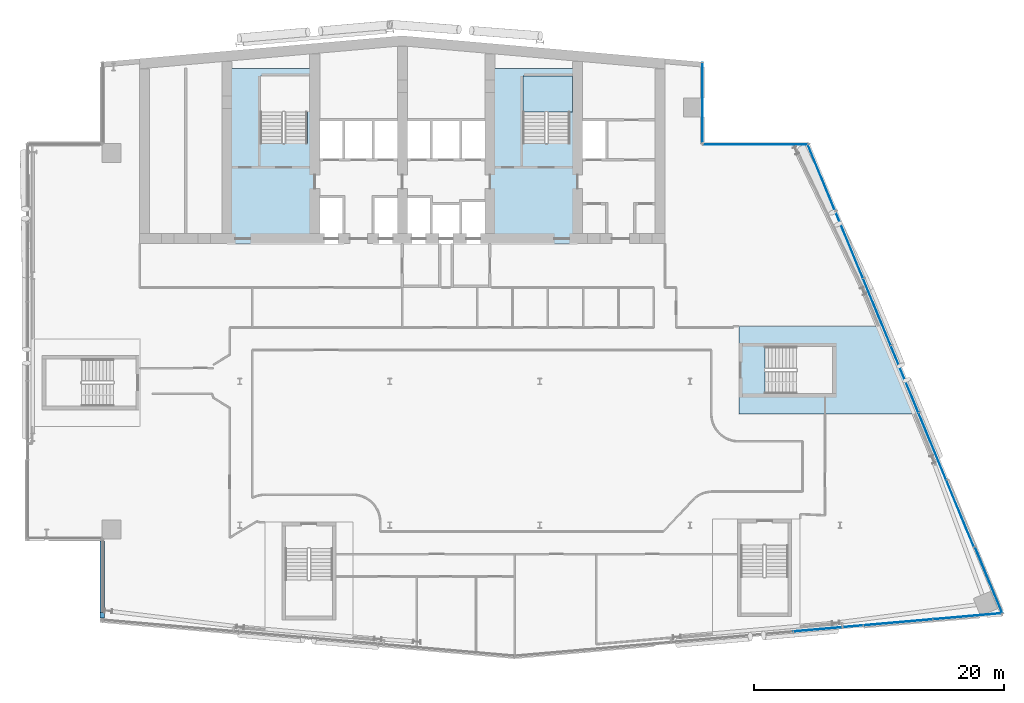
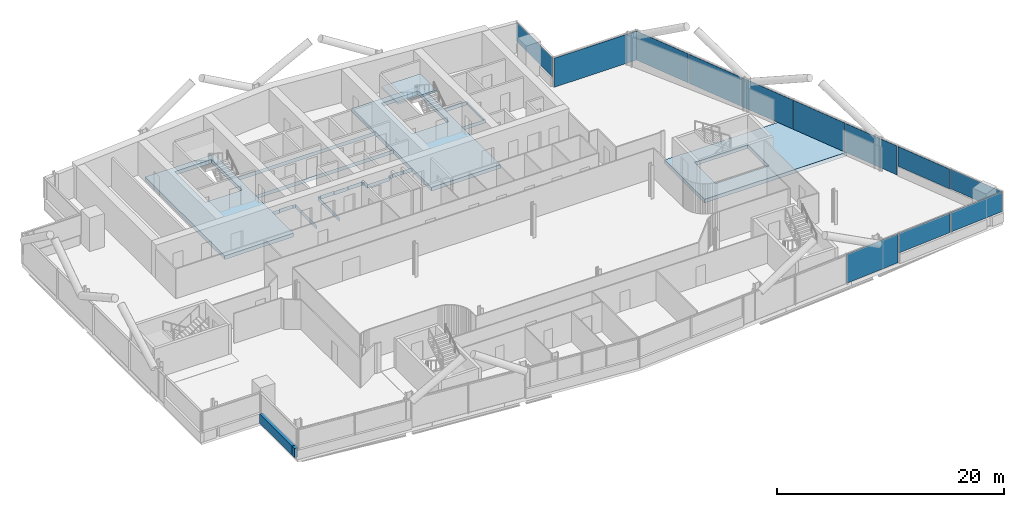
# One storey, part 14 of 29: 12 plates, 3 slabs, 2 walls, 5 elements without a shape of their own.
"""IFC4 building model written with IfcOpenShell, lengths in metres."""

from ifc_helpers import new_model, si_unit, direction, frame, frame_2d, origin, origin_2d, place, context, subcontext, project, spatial, polyline, rectangle, outline, extrude, material, layer, layer_set, type_object, element, aggregate, save


model = new_model("IFC4")

# Units and contexts
model_context = context("Model", 3, precision=1e-05, world=origin(), true_north=direction((0.0, 1.0)))
body_context = subcontext(model_context, "Body", "Model", "MODEL_VIEW")
ifc_project = project(units=[si_unit("LENGTHUNIT", "METRE"), si_unit("AREAUNIT", "SQUARE_METRE"), si_unit("VOLUMEUNIT", "CUBIC_METRE"), si_unit("PLANEANGLEUNIT", "RADIAN"), si_unit("MASSUNIT", "GRAM", prefix="KILO")], contexts=[model_context])

# Site, building, storey
site_placement = place(None, origin())
site = spatial("IfcSite", under=ifc_project, at=site_placement, CompositionType="ELEMENT")
building_placement = place(site_placement, origin())
building = spatial("IfcBuilding", under=site, at=building_placement, Name="Wharfspan Tower", CompositionType="ELEMENT")
storey_placement = place(building_placement, frame((0.0, 0.0, 155.5)))
storey = spatial("IfcBuildingStorey", under=building, at=storey_placement, Name="L37", CompositionType="ELEMENT", Elevation=155.5)

# Curtain wall, plates
ifc_material_1 = material(Name="Aluminium 6063-T6", Category="aluminium")
curtain_wall_type_1 = type_object("IfcCurtainWallType", Name="CURTAIN WALL FACETED FRONT", PredefinedType="NOTDEFINED", material=ifc_material_1)
curtain_wall_1_placement = place(storey_placement, origin())
curtain_wall_1 = element("IfcCurtainWall", 1, at=curtain_wall_1_placement, inside=storey, type_object=curtain_wall_type_1, Name="Curtain wall S2", PredefinedType="NOTDEFINED")
ifc_material_2 = material(Name="Glass clear low-iron double glazing", Category="glass")
ifc_layer_1 = layer(ifc_material_2, 0.040039)
ifc_layer_set_1 = layer_set([ifc_layer_1], Name="Glass clear low-iron double glazing")
plate_type_1 = type_object("IfcPlateType", Name="GLASS PANEL FACETED FRONT 40", PredefinedType="CURTAIN_PANEL", material=ifc_layer_set_1)
plate_1_placement = place(storey_placement, frame((76.637695, 3.728516, 1.0), z_axis=(0.0, 0.0, 1.0), x_axis=(0.996198, 0.087156, 0.0)))
plate_1 = element("IfcPlate", 2, at=plate_1_placement, type_object=plate_type_1, Name="Curtain wall S2 panel 6", PredefinedType="CURTAIN_PANEL", context=body_context, shape_type="SweptSolid", body=[
    extrude(rectangle(XDim=5.532715, YDim=0.040039, at=origin_2d()), origin(), (0.0, 0.0, 1.0), 2.120117),
])
plate_2_placement = place(storey_placement, frame((82.194092, 4.214844, 1.0), z_axis=(0.0, 0.0, 1.0), x_axis=(0.996198, 0.087156, 0.0)))
plate_2 = element("IfcPlate", 3, at=plate_2_placement, type_object=plate_type_1, Name="Curtain wall S2 panel 7", PredefinedType="CURTAIN_PANEL", context=body_context, shape_type="SweptSolid", body=[
    extrude(rectangle(XDim=5.502686, YDim=0.040039, at=origin_2d()), origin(), (0.0, 0.0, 1.0), 2.120117),
])

curtain_wall_type_2 = type_object("IfcCurtainWallType", Name="CURTAIN WALL PROW AND END", PredefinedType="NOTDEFINED", material=ifc_material_1)
curtain_wall_2_placement = place(storey_placement, origin())
curtain_wall_2 = element("IfcCurtainWall", 4, at=curtain_wall_2_placement, inside=storey, type_object=curtain_wall_type_2, Name="Curtain wall E", PredefinedType="NOTDEFINED")
ifc_layer_2 = layer(ifc_material_2, 0.040039)
ifc_layer_set_2 = layer_set([ifc_layer_2], Name="Glass clear low-iron double glazing")
plate_type_2 = type_object("IfcPlateType", Name="GLASS PANEL PROW AND END 40", PredefinedType="CURTAIN_PANEL", material=ifc_layer_set_2)
plate_3_placement = place(storey_placement, frame((83.885498, 7.099609, 1.0), z_axis=(0.0, 0.0, 1.0), x_axis=(-0.381602, 0.924325, 0.0)))
plate_3 = element("IfcPlate", 5, at=plate_3_placement, type_object=plate_type_2, Name="Curtain wall E panel 1", PredefinedType="CURTAIN_PANEL", context=body_context, shape_type="SweptSolid", body=[
    extrude(rectangle(XDim=5.721191, YDim=0.040039, at=origin_2d()), origin(), (0.0, 0.0, 1.0), 2.120117),
])
plate_4_placement = place(storey_placement, frame((81.599609, 12.426514, 1.0), z_axis=(0.0, 0.0, 1.0), x_axis=(-0.381602, 0.924325, 0.0)))
plate_4 = element("IfcPlate", 6, at=plate_4_placement, type_object=plate_type_2, Name="Curtain wall E panel 2", PredefinedType="CURTAIN_PANEL", context=body_context, shape_type="SweptSolid", body=[
    extrude(rectangle(XDim=5.751221, YDim=0.040039, at=origin_2d()), origin(), (0.0, 0.0, 1.0), 2.120117),
])

# Curtain wall, plate
curtain_wall_3_placement = place(storey_placement, origin())
curtain_wall_3 = element("IfcCurtainWall", 7, at=curtain_wall_3_placement, inside=storey, type_object=curtain_wall_type_2, Name="Curtain wall NRE-V", PredefinedType="NOTDEFINED")
plate_5_placement = place(storey_placement, frame((61.0, 45.262451, 1.0), z_axis=(0.0, 0.0, 1.0), x_axis=(0.0, 1.0, 0.0)))
plate_5 = element("IfcPlate", 8, at=plate_5_placement, type_object=plate_type_2, Name="Curtain wall NRE-V panel 1", PredefinedType="CURTAIN_PANEL", context=body_context, shape_type="SweptSolid", body=[
    extrude(rectangle(XDim=6.405029, YDim=0.040039, at=origin_2d()), origin(), (0.0, 0.0, 1.0), 2.120117),
])
aggregate(curtain_wall_3, [plate_5])

# Plate
ifc_material_3 = material(Name="Aluminium composite opaque insulated panel", Category="aluminium")
ifc_layer_3 = layer(ifc_material_3, 0.040039)
ifc_layer_set_3 = layer_set([ifc_layer_3], Name="Aluminium composite opaque insulated panel")
plate_type_3 = type_object("IfcPlateType", Name="INFILL PANEL FACETED FRONT OPAQUE 40", PredefinedType="SHEET", material=ifc_layer_set_3)
plate_6_placement = place(storey_placement, frame((71.066162, 3.241211, 0.0), z_axis=(0.0, 0.0, 1.0), x_axis=(0.996198, 0.087156, 0.0)))
plate_6 = element("IfcPlate", 9, at=plate_6_placement, type_object=plate_type_3, Name="Curtain wall S2 panel 5", PredefinedType="SHEET", context=body_context, shape_type="SweptSolid", body=[
    extrude(rectangle(XDim=5.532715, YDim=0.040039, at=origin_2d()), origin(), (0.0, 0.0, 1.0), 3.120117),
])

aggregate(curtain_wall_1, [plate_6, plate_1, plate_2])

ifc_layer_4 = layer(ifc_material_3, 0.040039)
ifc_layer_set_4 = layer_set([ifc_layer_4], Name="Aluminium composite opaque insulated panel")
plate_type_4 = type_object("IfcPlateType", Name="INFILL PANEL PROW AND END OPAQUE 40", PredefinedType="SHEET", material=ifc_layer_set_4)
plate_7_placement = place(storey_placement, frame((79.38208, 17.798096, 0.0), z_axis=(0.0, 0.0, 1.0), x_axis=(-0.381602, 0.924325, 0.0)))
plate_7 = element("IfcPlate", 10, at=plate_7_placement, type_object=plate_type_4, Name="Curtain wall E panel 3", PredefinedType="SHEET", context=body_context, shape_type="SweptSolid", body=[
    extrude(rectangle(XDim=5.751221, YDim=0.040039, at=origin_2d()), origin(), (0.0, 0.0, 1.0), 3.120117),
])

plate_8_placement = place(storey_placement, frame((77.164551, 23.169434, 0.0), z_axis=(0.0, 0.0, 1.0), x_axis=(-0.381602, 0.924325, 0.0)))
plate_8 = element("IfcPlate", 11, at=plate_8_placement, type_object=plate_type_4, Name="Curtain wall E panel 4", PredefinedType="SHEET", context=body_context, shape_type="SweptSolid", body=[
    extrude(rectangle(XDim=5.751221, YDim=0.040039, at=origin_2d()), origin(), (0.0, 0.0, 1.0), 3.120117),
])

plate_9_placement = place(storey_placement, frame((74.947021, 28.541016, 0.0), z_axis=(0.0, 0.0, 1.0), x_axis=(-0.381602, 0.924325, 0.0)))
plate_9 = element("IfcPlate", 12, at=plate_9_placement, type_object=plate_type_4, Name="Curtain wall E panel 5", PredefinedType="SHEET", context=body_context, shape_type="SweptSolid", body=[
    extrude(rectangle(XDim=5.751221, YDim=0.040039, at=origin_2d()), origin(), (0.0, 0.0, 1.0), 3.120117),
])

plate_10_placement = place(storey_placement, frame((72.729492, 33.912354, 0.0), z_axis=(0.0, 0.0, 1.0), x_axis=(-0.381602, 0.924325, 0.0)))
plate_10 = element("IfcPlate", 13, at=plate_10_placement, type_object=plate_type_4, Name="Curtain wall E panel 6", PredefinedType="SHEET", context=body_context, shape_type="SweptSolid", body=[
    extrude(rectangle(XDim=5.751221, YDim=0.040039, at=origin_2d()), origin(), (0.0, 0.0, 1.0), 3.120117),
])

plate_11_placement = place(storey_placement, frame((70.517578, 39.269775, 0.0), z_axis=(0.0, 0.0, 1.0), x_axis=(-0.381602, 0.924325, 0.0)))
plate_11 = element("IfcPlate", 14, at=plate_11_placement, type_object=plate_type_4, Name="Curtain wall E panel 7", PredefinedType="SHEET", context=body_context, shape_type="SweptSolid", body=[
    extrude(rectangle(XDim=5.721191, YDim=0.040039, at=origin_2d()), origin(), (0.0, 0.0, 1.0), 3.120117),
])

aggregate(curtain_wall_2, [plate_3, plate_4, plate_7, plate_8, plate_9, plate_10, plate_11])

# Curtain wall, plate
curtain_wall_4_placement = place(storey_placement, origin())
curtain_wall_4 = element("IfcCurtainWall", 15, at=curtain_wall_4_placement, inside=storey, type_object=curtain_wall_type_2, Name="Curtain wall NRE-H", PredefinedType="NOTDEFINED")
plate_12_placement = place(storey_placement, frame((65.238525, 41.919922, 0.0), z_axis=(0.0, 0.0, 1.0), x_axis=(-1.0, 0.0, 0.0)))
plate_12 = element("IfcPlate", 16, at=plate_12_placement, type_object=plate_type_4, Name="Curtain wall NRE-H panel 1", PredefinedType="SHEET", context=body_context, shape_type="SweptSolid", body=[
    extrude(rectangle(XDim=8.357178, YDim=0.040039, at=origin_2d()), origin(), (0.0, 0.0, 1.0), 3.120117),
])
aggregate(curtain_wall_4, [plate_12])

# Slabs
ifc_material_4 = material(Name="Concrete C40/50", Category="concrete")
ifc_layer_5 = layer(ifc_material_4, 0.399902)
ifc_layer_set_5 = layer_set([ifc_layer_5], Name="Concrete C40/50")
slab_type_1 = type_object("IfcSlabType", Name="Post-tensioned flat slab 400", PredefinedType="FLOOR", material=ifc_layer_set_5)
slab_1_placement = place(storey_placement, frame((0.0, 0.0, -0.400146)))
element("IfcSlab", 17, at=slab_1_placement, inside=storey, type_object=slab_type_1, Name="Core floor slab L37 part 3", PredefinedType="FLOOR", context=body_context, shape_type="SweptSolid", body=[
    extrude(outline(polyline([(23.0, 34.0), (29.998047, 34.0), (29.998047, 37.75), (29.998047, 37.750244), (29.998047, 37.750488), (29.998047, 37.750488), (29.998291, 37.750732), (29.998291, 37.750977), (29.998291, 37.751221), (29.998535, 37.751221), (29.998535, 37.751465), (29.998779, 37.751465), (29.998779, 37.751709), (29.999023, 37.751709), (29.999268, 37.751709), (29.999512, 37.751953), (29.999512, 37.751953), (29.999756, 37.751953), (30.0, 37.751953), (30.7146, 37.751953), (30.7146, 37.800049), (30.7146, 37.800293), (30.7146, 37.800293), (30.714844, 37.800537), (30.714844, 37.800781), (30.714844, 37.800781), (30.715088, 37.801025), (30.715088, 37.80127), (30.715332, 37.801514), (30.715332, 37.801514), (30.715576, 37.801758), (30.71582, 37.801758), (30.71582, 37.801758), (30.716064, 37.802002), (30.716309, 37.802002), (30.716553, 37.802002), (30.716797, 37.802002), (32.116699, 37.802002), (32.116943, 37.802002), (32.117188, 37.802002), (32.117188, 37.802002), (32.117432, 37.801758), (32.117676, 37.801758), (32.11792, 37.801758), (32.11792, 37.801514), (32.118164, 37.801514), (32.118164, 37.80127), (32.118408, 37.801025), (32.118408, 37.800781), (32.118408, 37.800781), (32.118652, 37.800537), (32.118652, 37.800293), (32.118652, 37.800293), (32.118652, 37.800049), (32.118652, 37.751953), (32.333252, 37.751953), (32.333496, 37.751953), (32.33374, 37.751953), (32.333984, 37.751953), (32.333984, 37.751709), (32.334229, 37.751709), (32.334473, 37.751709), (32.334717, 37.751465), (32.334717, 37.751465), (32.334961, 37.751221), (32.334961, 37.751221), (32.335205, 37.750977), (32.335205, 37.750732), (32.335205, 37.750488), (32.335205, 37.750488), (32.335205, 37.750244), (32.335205, 37.75), (32.335205, 34.0), (32.341309, 34.0), (32.341309, 37.758057), (32.126709, 37.758057), (32.126465, 37.758057), (32.126221, 37.758057), (32.126221, 37.758057), (32.125977, 37.758301), (32.125732, 37.758301), (32.125488, 37.758301), (32.125488, 37.758545), (32.125244, 37.758545), (32.125244, 37.758789), (32.125, 37.758789), (32.125, 37.759033), (32.125, 37.759277), (32.124756, 37.759521), (32.124756, 37.759521), (32.124756, 37.759766), (32.124756, 37.76001), (32.124756, 37.808105), (30.70874, 37.808105), (30.70874, 37.76001), (30.70874, 37.759766), (30.70874, 37.759521), (30.708496, 37.759521), (30.708496, 37.759277), (30.708496, 37.759033), (30.708496, 37.758789), (30.708252, 37.758789), (30.708008, 37.758545), (30.708008, 37.758545), (30.707764, 37.758301), (30.70752, 37.758301), (30.70752, 37.758301), (30.707275, 37.758057), (30.707031, 37.758057), (30.706787, 37.758057), (30.706787, 37.758057), (30.01001, 37.758057), (30.009766, 37.758057), (30.009521, 37.758057), (30.009521, 37.758057), (30.009277, 37.758301), (30.009033, 37.758301), (30.008789, 37.758301), (30.008789, 37.758545), (30.008545, 37.758545), (30.008545, 37.758789), (30.008301, 37.758789), (30.008301, 37.759033), (30.008301, 37.759277), (30.008057, 37.759521), (30.008057, 37.759521), (30.008057, 37.759766), (30.008057, 37.76001), (30.008057, 40.689941), (30.008057, 40.690186), (30.008057, 40.69043), (30.008057, 40.690674), (30.008301, 40.690918), (30.008301, 40.690918), (30.008301, 40.691162), (30.008545, 40.691406), (30.008545, 40.691406), (30.008789, 40.691406), (30.008789, 40.69165), (30.009033, 40.691895), (30.009277, 40.691895), (30.009521, 40.691895), (30.009521, 40.691895), (30.009766, 40.691895), (30.01001, 40.691895), (43.98999, 40.691895), (43.990234, 40.691895), (43.990479, 40.691895), (43.990479, 40.691895), (43.990723, 40.691895), (43.990967, 40.691895), (43.991211, 40.69165), (43.991211, 40.691406), (43.991455, 40.691406), (43.991455, 40.691406), (43.991699, 40.691162), (43.991699, 40.690918), (43.991699, 40.690918), (43.991943, 40.690674), (43.991943, 40.69043), (43.991943, 40.690186), (43.991943, 40.689941), (43.991943, 37.459961), (43.991943, 37.459717), (43.991943, 37.459717), (43.991943, 37.459473), (43.991699, 37.459229), (43.991699, 37.458984), (43.991699, 37.458984), (43.991455, 37.45874), (43.991455, 37.458496), (43.991211, 37.458496), (43.991211, 37.458252), (43.990967, 37.458252), (43.990723, 37.458252), (43.990479, 37.458008), (43.990479, 37.458008), (43.990234, 37.458008), (43.98999, 37.458008), (43.143311, 37.458008), (43.143066, 37.458008), (43.142822, 37.458008), (43.142578, 37.458008), (43.142578, 37.458252), (43.142334, 37.458252), (43.14209, 37.458252), (43.14209, 37.458496), (43.141846, 37.458496), (43.141846, 37.45874), (43.141602, 37.458984), (43.141602, 37.458984), (43.141602, 37.459229), (43.141357, 37.459473), (43.141357, 37.459717), (43.141357, 37.459717), (43.141357, 37.459961), (43.141357, 37.508057), (42.025391, 37.508057), (42.025391, 37.459961), (42.025391, 37.459717), (42.025391, 37.459717), (42.025146, 37.459473), (42.025146, 37.459229), (42.025146, 37.458984), (42.024902, 37.458984), (42.024902, 37.45874), (42.024658, 37.458496), (42.024658, 37.458496), (42.024414, 37.458252), (42.02417, 37.458252), (42.02417, 37.458252), (42.023926, 37.458008), (42.023682, 37.458008), (42.023438, 37.458008), (42.023193, 37.458008), (41.658691, 37.458008), (41.658691, 37.209961), (41.658691, 37.209717), (41.658691, 37.209717), (41.658691, 37.209473), (41.658447, 37.209229), (41.658447, 37.208984), (41.658447, 37.208984), (41.658203, 37.20874), (41.658203, 37.208496), (41.657959, 37.208496), (41.657715, 37.208252), (41.657715, 37.208252), (41.657471, 37.208252), (41.657227, 37.208008), (41.656982, 37.208008), (41.656982, 37.208008), (41.656738, 37.208008), (39.343262, 37.208008), (39.343018, 37.208008), (39.343018, 37.208008), (39.342773, 37.208008), (39.342529, 37.208252), (39.342285, 37.208252), (39.342285, 37.208252), (39.342041, 37.208496), (39.341797, 37.208496), (39.341797, 37.20874), (39.341553, 37.208984), (39.341553, 37.208984), (39.341553, 37.209229), (39.341309, 37.209473), (39.341309, 37.209717), (39.341309, 37.209717), (39.341309, 37.209961), (39.341309, 37.758057), (39.166748, 37.758057), (39.166504, 37.758057), (39.16626, 37.758057), (39.166016, 37.758057), (39.166016, 37.758301), (39.165771, 37.758301), (39.165527, 37.758301), (39.165283, 37.758545), (39.165283, 37.758545), (39.165283, 37.758789), (39.165039, 37.758789), (39.164795, 37.759033), (39.164795, 37.759277), (39.164795, 37.759521), (39.164795, 37.759521), (39.164795, 37.759766), (39.164795, 37.76001), (39.164795, 37.808105), (37.668701, 37.808105), (37.668701, 37.76001), (37.668701, 37.759766), (37.668701, 37.759521), (37.668701, 37.759521), (37.668457, 37.759277), (37.668457, 37.759033), (37.668457, 37.758789), (37.668213, 37.758789), (37.668213, 37.758545), (37.667969, 37.758545), (37.667725, 37.758301), (37.66748, 37.758301), (37.66748, 37.758301), (37.667236, 37.758057), (37.666992, 37.758057), (37.666992, 37.758057), (37.666748, 37.758057), (36.293213, 37.758057), (36.293213, 37.758057), (36.292969, 37.758057), (36.292725, 37.758057), (36.29248, 37.758301), (36.29248, 37.758301), (36.292236, 37.758301), (36.291992, 37.758545), (36.291992, 37.758545), (36.291748, 37.758789), (36.291504, 37.758789), (36.291504, 37.759033), (36.291504, 37.759277), (36.291504, 37.759521), (36.29126, 37.759521), (36.29126, 37.759766), (36.29126, 37.76001), (36.29126, 37.808105), (34.875244, 37.808105), (34.875244, 37.76001), (34.875244, 37.759766), (34.875244, 37.759521), (34.875244, 37.759521), (34.875, 37.759277), (34.875, 37.759033), (34.875, 37.758789), (34.874756, 37.758789), (34.874756, 37.758545), (34.874512, 37.758545), (34.874512, 37.758301), (34.874268, 37.758301), (34.874023, 37.758301), (34.873779, 37.758057), (34.873779, 37.758057), (34.873535, 37.758057), (34.873291, 37.758057), (34.658691, 37.758057), (34.658691, 34.0), (34.664795, 34.0), (34.664795, 37.75), (34.664795, 37.750244), (34.664795, 37.750488), (34.664795, 37.750488), (34.664795, 37.750732), (34.664795, 37.750977), (34.665039, 37.751221), (34.665039, 37.751221), (34.665283, 37.751465), (34.665283, 37.751465), (34.665527, 37.751709), (34.665771, 37.751709), (34.666016, 37.751709), (34.666016, 37.751953), (34.66626, 37.751953), (34.666504, 37.751953), (34.666748, 37.751953), (34.881348, 37.751953), (34.881348, 37.800049), (34.881348, 37.800293), (34.881348, 37.800293), (34.881348, 37.800537), (34.881592, 37.800781), (34.881592, 37.800781), (34.881592, 37.801025), (34.881836, 37.80127), (34.881836, 37.801514), (34.88208, 37.801514), (34.88208, 37.801758), (34.882324, 37.801758), (34.882568, 37.801758), (34.882812, 37.802002), (34.882812, 37.802002), (34.883057, 37.802002), (34.883301, 37.802002), (36.283203, 37.802002), (36.283447, 37.802002), (36.283691, 37.802002), (36.283936, 37.802002), (36.28418, 37.801758), (36.28418, 37.801758), (36.284424, 37.801758), (36.284668, 37.801514), (36.284668, 37.801514), (36.284912, 37.80127), (36.284912, 37.801025), (36.285156, 37.800781), (36.285156, 37.800781), (36.285156, 37.800537), (36.2854, 37.800293), (36.2854, 37.800293), (36.2854, 37.800049), (36.2854, 37.751953), (37.674805, 37.751953), (37.674805, 37.800049), (37.674805, 37.800293), (37.674805, 37.800293), (37.674805, 37.800537), (37.674805, 37.800781), (37.674805, 37.800781), (37.675049, 37.801025), (37.675049, 37.80127), (37.675293, 37.801514), (37.675293, 37.801514), (37.675537, 37.801758), (37.675781, 37.801758), (37.675781, 37.801758), (37.676025, 37.802002), (37.67627, 37.802002), (37.676514, 37.802002), (37.676758, 37.802002), (39.156738, 37.802002), (39.156982, 37.802002), (39.156982, 37.802002), (39.157227, 37.802002), (39.157471, 37.801758), (39.157715, 37.801758), (39.157715, 37.801758), (39.157959, 37.801514), (39.158203, 37.801514), (39.158203, 37.80127), (39.158203, 37.801025), (39.158447, 37.800781), (39.158447, 37.800781), (39.158691, 37.800537), (39.158691, 37.800293), (39.158691, 37.800293), (39.158691, 37.800049), (39.158691, 37.751953), (39.333252, 37.751953), (39.333496, 37.751953), (39.33374, 37.751953), (39.333984, 37.751953), (39.333984, 37.751709), (39.334229, 37.751709), (39.334473, 37.751709), (39.334717, 37.751465), (39.334717, 37.751465), (39.334961, 37.751221), (39.334961, 37.751221), (39.335205, 37.750977), (39.335205, 37.750732), (39.335205, 37.750488), (39.335205, 37.750488), (39.335205, 37.750244), (39.335205, 37.75), (39.335205, 37.201904), (41.664795, 37.201904), (41.664795, 37.449951), (41.664795, 37.450195), (41.664795, 37.450439), (41.664795, 37.450684), (41.664795, 37.450684), (41.664795, 37.450928), (41.665039, 37.451172), (41.665039, 37.451416), (41.665283, 37.451416), (41.665283, 37.451416), (41.665527, 37.45166), (41.665771, 37.451904), (41.666016, 37.451904), (41.666016, 37.451904), (41.66626, 37.451904), (41.666504, 37.451904), (41.666748, 37.451904), (42.03125, 37.451904), (42.03125, 37.5), (42.03125, 37.500244), (42.031494, 37.500488), (42.031494, 37.500488), (42.031494, 37.500732), (42.031494, 37.500977), (42.031738, 37.501221), (42.031738, 37.501221), (42.031982, 37.501465), (42.031982, 37.501465), (42.032227, 37.501709), (42.032471, 37.501709), (42.032715, 37.501709), (42.032715, 37.501953), (42.032959, 37.501953), (42.033203, 37.501953), (42.033203, 37.501953), (43.133301, 37.501953), (43.133545, 37.501953), (43.133789, 37.501953), (43.133789, 37.501953), (43.134033, 37.501709), (43.134277, 37.501709), (43.134521, 37.501709), (43.134521, 37.501465), (43.134766, 37.501465), (43.13501, 37.501221), (43.13501, 37.501221), (43.13501, 37.500977), (43.135254, 37.500732), (43.135254, 37.500488), (43.135254, 37.500488), (43.135254, 37.500244), (43.135254, 37.5), (43.135254, 37.451904), (44.0, 37.451904), (44.000244, 37.451904), (44.000488, 37.451904), (44.000488, 37.451904), (44.000732, 37.451904), (44.000977, 37.451904), (44.001221, 37.45166), (44.001221, 37.451416), (44.001465, 37.451416), (44.001465, 37.451416), (44.001709, 37.451172), (44.001709, 37.450928), (44.001709, 37.450684), (44.001953, 37.450684), (44.001953, 37.450439), (44.001953, 37.450195), (44.001953, 37.449951), (44.001953, 34.0), (51.0, 34.0), (51.008057, 34.0), (51.008057, 40.689941), (51.008057, 40.690186), (51.008057, 40.69043), (51.008057, 40.690674), (51.008301, 40.690918), (51.008301, 40.690918), (51.008301, 40.691162), (51.008545, 40.691406), (51.008545, 40.691406), (51.008789, 40.691406), (51.008789, 40.69165), (51.009033, 40.691895), (51.009277, 40.691895), (51.009521, 40.691895), (51.009521, 40.691895), (51.009766, 40.691895), (51.01001, 40.691895), (53.341309, 40.691895), (53.341309, 43.907959), (51.01001, 43.907959), (51.009766, 43.907959), (51.009521, 43.907959), (51.009521, 43.908203), (51.009277, 43.908203), (51.009033, 43.908203), (51.008789, 43.908203), (51.008789, 43.908447), (51.008545, 43.908691), (51.008545, 43.908691), (51.008301, 43.908936), (51.008301, 43.90918), (51.008301, 43.90918), (51.008057, 43.909424), (51.008057, 43.909668), (51.008057, 43.909912), (51.008057, 43.909912), (51.008057, 48.008057), (43.991943, 48.008057), (43.991943, 43.909912), (43.991943, 43.909912), (43.991943, 43.909668), (43.991943, 43.909424), (43.991699, 43.90918), (43.991699, 43.90918), (43.991699, 43.908936), (43.991455, 43.908691), (43.991455, 43.908691), (43.991211, 43.908447), (43.991211, 43.908203), (43.990967, 43.908203), (43.990723, 43.908203), (43.990479, 43.908203), (43.990479, 43.907959), (43.990234, 43.907959), (43.98999, 43.907959), (30.01001, 43.907959), (30.009766, 43.907959), (30.009521, 43.907959), (30.009521, 43.908203), (30.009277, 43.908203), (30.009033, 43.908203), (30.008789, 43.908203), (30.008789, 43.908447), (30.008545, 43.908691), (30.008545, 43.908691), (30.008301, 43.908936), (30.008301, 43.90918), (30.008301, 43.90918), (30.008057, 43.909424), (30.008057, 43.909668), (30.008057, 43.909912), (30.008057, 43.909912), (30.008057, 48.008057), (22.991943, 48.008057), (22.991943, 34.0), (23.0, 34.0)]), holes=[polyline([(53.333252, 43.9021), (53.333496, 43.9021), (53.33374, 43.9021), (53.333984, 43.901855), (53.333984, 43.901855), (53.334229, 43.901855), (53.334473, 43.901611), (53.334717, 43.901611), (53.334717, 43.901367), (53.334961, 43.901367), (53.334961, 43.901123), (53.335205, 43.900879), (53.335205, 43.900879), (53.335205, 43.900635), (53.335205, 43.900391), (53.335205, 43.900146), (53.335205, 43.899902), (53.335205, 40.699951), (53.335205, 40.699707), (53.335205, 40.699707), (53.335205, 40.699463), (53.335205, 40.699219), (53.335205, 40.699219), (53.334961, 40.698975), (53.334961, 40.69873), (53.334717, 40.698486), (53.334717, 40.698486), (53.334473, 40.698242), (53.334229, 40.698242), (53.333984, 40.698242), (53.333984, 40.697998), (53.33374, 40.697998), (53.333496, 40.697998), (53.333252, 40.697998), (51.0, 40.697998), (50.999756, 40.697998), (50.999512, 40.697998), (50.999512, 40.697998), (50.999268, 40.698242), (50.999023, 40.698242), (50.998779, 40.698242), (50.998779, 40.698486), (50.998535, 40.698486), (50.998535, 40.69873), (50.998291, 40.698975), (50.998291, 40.699219), (50.998291, 40.699219), (50.998047, 40.699463), (50.998047, 40.699707), (50.998047, 40.699707), (50.998047, 40.699951), (50.998047, 43.899902), (50.998047, 43.900146), (50.998047, 43.900391), (50.998047, 43.900635), (50.998291, 43.900879), (50.998291, 43.900879), (50.998291, 43.901123), (50.998535, 43.901367), (50.998535, 43.901367), (50.998779, 43.901611), (50.998779, 43.901611), (50.999023, 43.901855), (50.999268, 43.901855), (50.999512, 43.901855), (50.999512, 43.9021), (50.999756, 43.9021), (51.0, 43.9021), (53.333252, 43.9021)]), polyline([(46.649902, 41.998047), (46.649902, 41.998047), (46.649658, 41.998047), (46.649414, 41.998047), (46.64917, 41.998291), (46.64917, 41.998291), (46.648926, 41.998291), (46.648682, 41.998535), (46.648682, 41.998535), (46.648438, 41.998779), (46.648193, 41.998779), (46.648193, 41.999023), (46.648193, 41.999268), (46.648193, 41.999512), (46.647949, 41.999512), (46.647949, 41.999756), (46.647949, 42.0), (46.647949, 47.399902), (46.647949, 47.400146), (46.647949, 47.400391), (46.648193, 47.400635), (46.648193, 47.400879), (46.648193, 47.400879), (46.648193, 47.401123), (46.648438, 47.401367), (46.648682, 47.401367), (46.648682, 47.401611), (46.648926, 47.401611), (46.64917, 47.401855), (46.64917, 47.401855), (46.649414, 47.401855), (46.649658, 47.4021), (46.649902, 47.4021), (46.649902, 47.4021), (50.399902, 47.4021), (50.400146, 47.4021), (50.400391, 47.4021), (50.400635, 47.401855), (50.400879, 47.401855), (50.400879, 47.401855), (50.401123, 47.401611), (50.401367, 47.401611), (50.401367, 47.401367), (50.401611, 47.401367), (50.401611, 47.401123), (50.401855, 47.400879), (50.401855, 47.400879), (50.401855, 47.400635), (50.4021, 47.400391), (50.4021, 47.400146), (50.4021, 47.399902), (50.4021, 42.0), (50.4021, 41.999756), (50.4021, 41.999512), (50.401855, 41.999512), (50.401855, 41.999268), (50.401855, 41.999023), (50.401611, 41.998779), (50.401611, 41.998779), (50.401367, 41.998535), (50.401367, 41.998535), (50.401123, 41.998291), (50.400879, 41.998291), (50.400879, 41.998291), (50.400635, 41.998047), (50.400391, 41.998047), (50.400146, 41.998047), (50.399902, 41.998047), (46.649902, 41.998047)]), polyline([(44.0, 43.9021), (44.000244, 43.9021), (44.000488, 43.9021), (44.000488, 43.901855), (44.000732, 43.901855), (44.000977, 43.901855), (44.001221, 43.901611), (44.001221, 43.901611), (44.001465, 43.901367), (44.001465, 43.901367), (44.001709, 43.901123), (44.001709, 43.900879), (44.001709, 43.900879), (44.001953, 43.900635), (44.001953, 43.900391), (44.001953, 43.900146), (44.001953, 43.899902), (44.001953, 40.699951), (44.001953, 40.699707), (44.001953, 40.699707), (44.001953, 40.699463), (44.001709, 40.699219), (44.001709, 40.699219), (44.001709, 40.698975), (44.001465, 40.69873), (44.001465, 40.698486), (44.001221, 40.698486), (44.001221, 40.698242), (44.000977, 40.698242), (44.000732, 40.698242), (44.000488, 40.697998), (44.000488, 40.697998), (44.000244, 40.697998), (44.0, 40.697998), (30.0, 40.697998), (29.999756, 40.697998), (29.999512, 40.697998), (29.999512, 40.697998), (29.999268, 40.698242), (29.999023, 40.698242), (29.998779, 40.698242), (29.998779, 40.698486), (29.998535, 40.698486), (29.998535, 40.69873), (29.998291, 40.698975), (29.998291, 40.699219), (29.998291, 40.699219), (29.998047, 40.699463), (29.998047, 40.699707), (29.998047, 40.699707), (29.998047, 40.699951), (29.998047, 43.899902), (29.998047, 43.900146), (29.998047, 43.900391), (29.998047, 43.900635), (29.998291, 43.900879), (29.998291, 43.900879), (29.998291, 43.901123), (29.998535, 43.901367), (29.998535, 43.901367), (29.998779, 43.901611), (29.998779, 43.901611), (29.999023, 43.901855), (29.999268, 43.901855), (29.999512, 43.901855), (29.999512, 43.9021), (29.999756, 43.9021), (30.0, 43.9021), (44.0, 43.9021)]), polyline([(29.4021, 42.0), (29.4021, 41.999756), (29.4021, 41.999512), (29.401855, 41.999512), (29.401855, 41.999268), (29.401855, 41.999023), (29.401611, 41.998779), (29.401611, 41.998779), (29.401367, 41.998535), (29.401367, 41.998535), (29.401123, 41.998291), (29.400879, 41.998291), (29.400879, 41.998291), (29.400635, 41.998047), (29.400391, 41.998047), (29.400146, 41.998047), (29.399902, 41.998047), (25.649902, 41.998047), (25.649902, 41.998047), (25.649658, 41.998047), (25.649414, 41.998047), (25.64917, 41.998291), (25.64917, 41.998291), (25.648926, 41.998291), (25.648682, 41.998535), (25.648682, 41.998535), (25.648438, 41.998779), (25.648193, 41.998779), (25.648193, 41.999023), (25.648193, 41.999268), (25.648193, 41.999512), (25.647949, 41.999512), (25.647949, 41.999756), (25.647949, 42.0), (25.647949, 47.399902), (25.647949, 47.400146), (25.647949, 47.400391), (25.648193, 47.400635), (25.648193, 47.400879), (25.648193, 47.400879), (25.648193, 47.401123), (25.648438, 47.401367), (25.648682, 47.401367), (25.648682, 47.401611), (25.648926, 47.401611), (25.64917, 47.401855), (25.64917, 47.401855), (25.649414, 47.401855), (25.649658, 47.4021), (25.649902, 47.4021), (25.649902, 47.4021), (29.399902, 47.4021), (29.400146, 47.4021), (29.400391, 47.4021), (29.400635, 47.401855), (29.400879, 47.401855), (29.400879, 47.401855), (29.401123, 47.401611), (29.401367, 47.401611), (29.401367, 47.401367), (29.401611, 47.401367), (29.401611, 47.401123), (29.401855, 47.400879), (29.401855, 47.400879), (29.401855, 47.400635), (29.4021, 47.400391), (29.4021, 47.400146), (29.4021, 47.399902), (29.4021, 42.0)])]), origin(), (0.0, 0.0, 1.0), 0.400146),
])
slab_2_placement = place(storey_placement, frame((0.0, 0.0, -0.400146)))
element("IfcSlab", 18, at=slab_2_placement, inside=storey, type_object=slab_type_1, Name="Core floor slab L37 part 5", PredefinedType="FLOOR", context=body_context, shape_type="SweptSolid", body=[
    extrude(outline(polyline([(78.394531, 20.399902), (75.504639, 27.399902), (63.904541, 27.399902), (63.904541, 20.399902), (78.394531, 20.399902)]), holes=[polyline([(66.004639, 22.022949), (66.004395, 22.022949), (66.00415, 22.022949), (66.003906, 22.023193), (66.003906, 22.023193), (66.003662, 22.023193), (66.003418, 22.023193), (66.003418, 22.023438), (66.003174, 22.023682), (66.00293, 22.023682), (66.00293, 22.023926), (66.002686, 22.02417), (66.002686, 22.02417), (66.002686, 22.024414), (66.002686, 22.024658), (66.002686, 22.024902), (66.002686, 22.024902), (66.002686, 25.774902), (66.002686, 25.775146), (66.002686, 25.775391), (66.002686, 25.775635), (66.002686, 25.775879), (66.002686, 25.775879), (66.00293, 25.776123), (66.00293, 25.776367), (66.003174, 25.776367), (66.003418, 25.776611), (66.003418, 25.776611), (66.003662, 25.776855), (66.003906, 25.776855), (66.003906, 25.776855), (66.00415, 25.7771), (66.004395, 25.7771), (66.004639, 25.7771), (71.404541, 25.7771), (71.404785, 25.7771), (71.405029, 25.7771), (71.405273, 25.776855), (71.405518, 25.776855), (71.405518, 25.776855), (71.405762, 25.776611), (71.406006, 25.776611), (71.406006, 25.776367), (71.406006, 25.776367), (71.40625, 25.776123), (71.406494, 25.775879), (71.406494, 25.775879), (71.406494, 25.775635), (71.406494, 25.775391), (71.406494, 25.775146), (71.406494, 25.774902), (71.406494, 22.024902), (71.406494, 22.024902), (71.406494, 22.024658), (71.406494, 22.024414), (71.406494, 22.02417), (71.406494, 22.02417), (71.40625, 22.023926), (71.406006, 22.023682), (71.406006, 22.023682), (71.406006, 22.023438), (71.405762, 22.023193), (71.405518, 22.023193), (71.405518, 22.023193), (71.405273, 22.023193), (71.405029, 22.022949), (71.404785, 22.022949), (71.404541, 22.022949), (66.004639, 22.022949)])]), origin(), (0.0, 0.0, 1.0), 0.400146),
])

# Stair, slab
stair_type = type_object("IfcStairType", Name="Half-turn stair 20 risers 180 mm", PredefinedType="HALF_TURN_STAIR", material=ifc_material_4)
stair_placement = place(storey_placement, origin())
stair = element("IfcStair", 19, at=stair_placement, inside=storey, type_object=stair_type, Name="L37 stair ST2", PredefinedType="HALF_TURN_STAIR")
ifc_layer_6 = layer(ifc_material_4, 0.199951)
ifc_layer_set_6 = layer_set([ifc_layer_6], Name="Concrete C40/50")
slab_type_2 = type_object("IfcSlabType", Name="Stair landing 200", PredefinedType="LANDING", material=ifc_layer_set_6)
slab_3_placement = place(storey_placement, frame((0.0, 0.0, 1.599854)))
slab_3 = element("IfcSlab", 20, at=slab_3_placement, type_object=slab_type_2, Name="ST2 landing 1", PredefinedType="LANDING", context=body_context, shape_type="SweptSolid", body=[
    extrude(outline(polyline([(46.649902, 44.52002), (50.600098, 44.52002), (50.600098, 47.399902), (46.649902, 47.399902), (46.649902, 44.52002)])), origin(), (0.0, 0.0, 1.0), 0.200195),
])
aggregate(stair, [slab_3])

# Walls
ifc_layer_7 = layer(ifc_material_4, 0.350098)
ifc_layer_set_7 = layer_set([ifc_layer_7], Name="Concrete C40/50")
wall_type = type_object("IfcWallType", Name="SPANDREL EXPOSED CONCRETE 350", PredefinedType="SOLIDWALL", material=ifc_layer_set_7)
wall_1_placement = place(storey_placement, frame((12.995117, 10.219971, 0.0), z_axis=(0.0, 0.0, 1.0), x_axis=(0.0, -1.0, 0.0)))
element("IfcWall", 21, at=wall_1_placement, inside=storey, type_object=wall_type, Name="Spandrel upstand L37 NFW-V", PredefinedType="SOLIDWALL", context=body_context, shape_type="SweptSolid", body=[
    extrude(rectangle(XDim=5.693359, YDim=0.350098, at=frame_2d((2.84668, 0.0))), origin(), (0.0, 0.0, 1.0), 1.0),
])
wall_2_placement = place(storey_placement, frame((12.995117, 4.512451, 0.0), z_axis=(0.0, 0.0, 1.0), x_axis=(0.0, -1.0, 0.0)))
element("IfcWall", 22, at=wall_2_placement, inside=storey, type_object=wall_type, Name="Spandrel upstand L37 NFW-V 2", PredefinedType="SOLIDWALL", context=body_context, shape_type="SweptSolid", body=[
    extrude(rectangle(XDim=0.453613, YDim=0.350098, at=frame_2d((0.226807, 0.0))), origin(), (0.0, 0.0, 1.0), 1.0),
])

save(model, "model.ifc")
